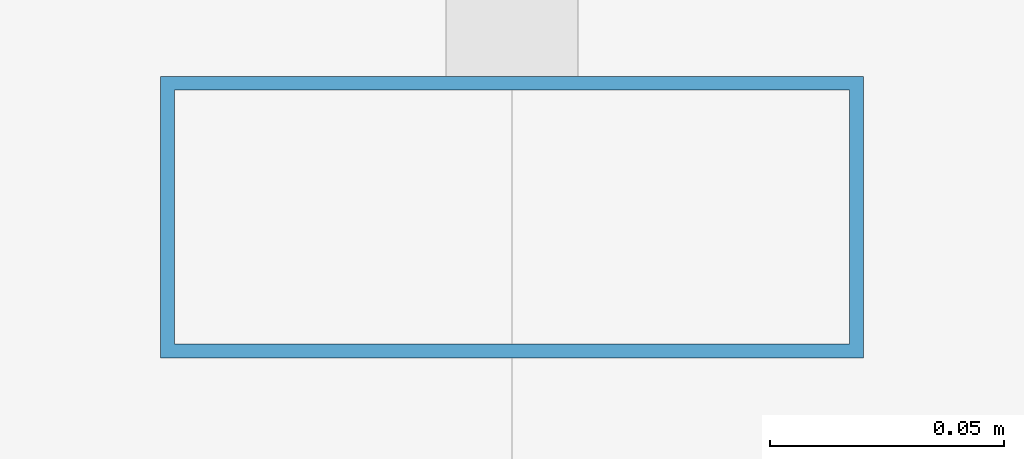
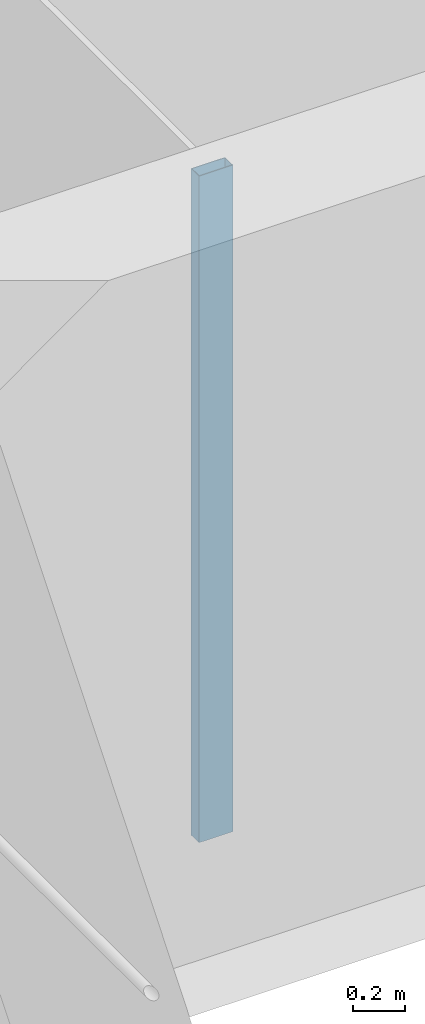
# One storey, part 11 of 40: 1 member, 1 element without a shape of its own.
"""IFC4 building model written with IfcOpenShell, lengths in metres."""

from ifc_helpers import new_model, si_unit, direction, frame, origin, origin_2d, place, context, subcontext, project, spatial, hollow_rectangle, extrude, material, material_profile, profile_set, type_object, element, aggregate, save


model = new_model("IFC4")

# Units and contexts
model_context = context("Model", 3, precision=1e-05, world=origin(), true_north=direction((0.0, 1.0)))
body_context = subcontext(model_context, "Body", "Model", "MODEL_VIEW")
ifc_project = project(units=[si_unit("LENGTHUNIT", "METRE"), si_unit("AREAUNIT", "SQUARE_METRE"), si_unit("VOLUMEUNIT", "CUBIC_METRE"), si_unit("PLANEANGLEUNIT", "RADIAN"), si_unit("MASSUNIT", "GRAM", prefix="KILO")], contexts=[model_context])

# Site, building, storey
site_placement = place(None, origin())
site = spatial("IfcSite", under=ifc_project, at=site_placement, CompositionType="ELEMENT")
building_placement = place(site_placement, origin())
building = spatial("IfcBuilding", under=site, at=building_placement, Name="Altepetl Exchange Towers", CompositionType="ELEMENT")
storey_placement = place(building_placement, frame((0.0, 0.0, 187.0)))
storey = spatial("IfcBuildingStorey", under=building, at=storey_placement, Name="L47", CompositionType="ELEMENT", Elevation=187.0)

# Curtain wall, member
ifc_material_1 = material(Name="Aluminium 6063-T6 glazing", Category="aluminium")
curtain_wall_type = type_object("IfcCurtainWallType", Name="Loggia glazing system", PredefinedType="NOTDEFINED", material=ifc_material_1)
curtain_wall_placement = place(storey_placement, origin())
curtain_wall = element("IfcCurtainWall", 1, at=curtain_wall_placement, inside=storey, type_object=curtain_wall_type, Name="CW1 run", PredefinedType="NOTDEFINED")
ifc_material_2 = material(Name="Aluminium 6063-T6", Category="aluminium")
ifc_material_profile = material_profile(ifc_material_2, hollow_rectangle(XDim=0.06005859375, YDim=0.14990234375, WallThickness=0.0029296875, at=origin_2d()), Name="Mullion 60x150 aluminium")
ifc_profile_set = profile_set([ifc_material_profile], Name="Aluminium 6063-T6")
member_type = type_object("IfcMemberType", Name="Mullion 60x150 aluminium", PredefinedType="MULLION", material=ifc_profile_set)
member_placement = place(storey_placement, frame((42.5, 58.60498046875, 0.0), z_axis=(0.0, 0.0, 1.0), x_axis=(0.0, -1.0, 0.0)))
member = element("IfcMember", 2, at=member_placement, type_object=member_type, Name="MU1 mullion", PredefinedType="MULLION", context=body_context, shape_type="SweptSolid", body=[
    extrude(hollow_rectangle(XDim=0.06005859375, YDim=0.14990234375, WallThickness=0.0029296875, at=origin_2d()), origin(), (0.0, 0.0, 1.0), 3.10009765625),
])
aggregate(curtain_wall, [member])

save(model, "model.ifc")
